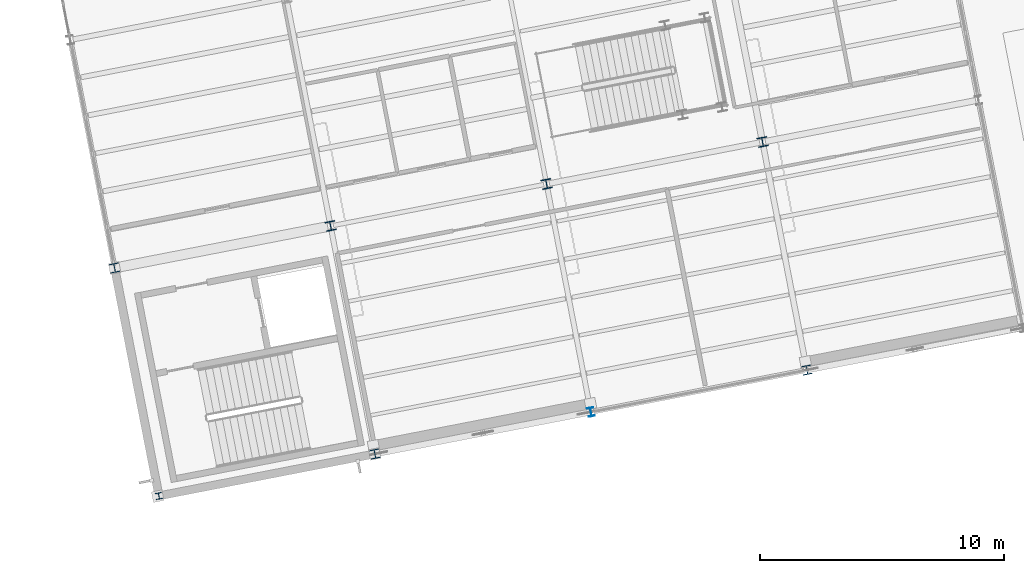
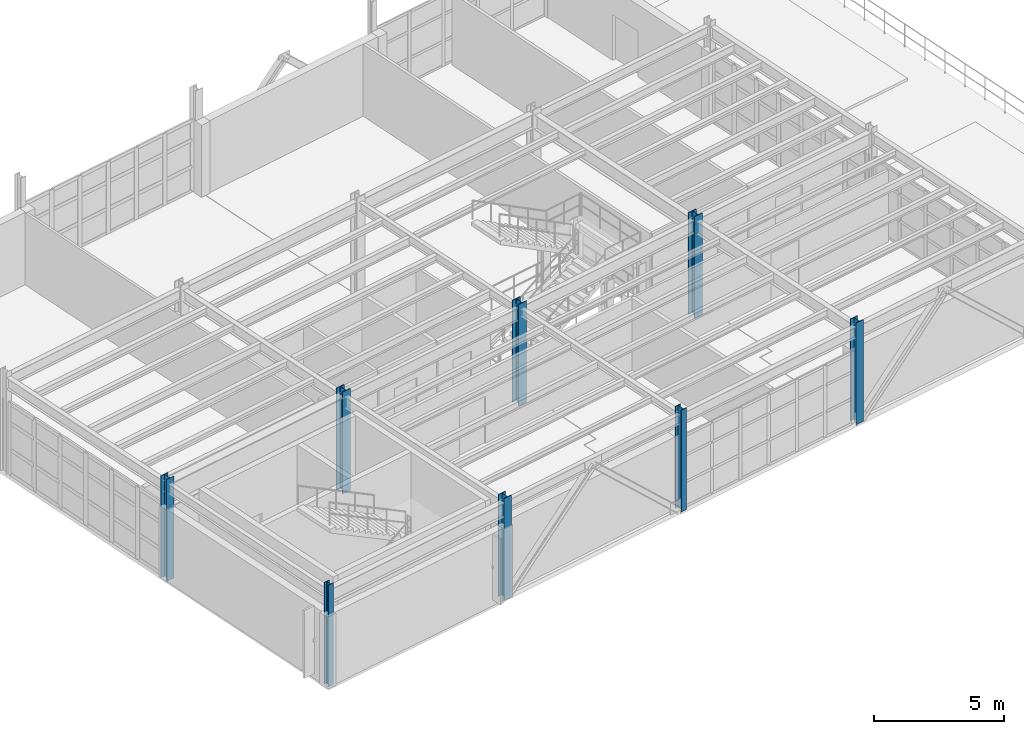
# One storey, part 1 of 109: 8 columns.
"""IFC4 building model written with IfcOpenShell, lengths in metres."""

import ifcopenshell
import ifcopenshell.guid

model = None  # the IFC model being written
_history = None  # IfcOwnerHistory: only IFC2X3 demands one
_inside = {}  # id of a spatial element -> (the spatial element, [elements in it])
_under = {}  # id of a project, library or spatial element -> (it, [spatial elements below it])
_declared = {}  # id of a project -> (the project, [libraries it declares])
_typed = {}  # id of a type object -> (the type object, [elements of that type])
_made_of = {}  # id of a material, layer set ... -> (it, [elements and type objects made of it])


def new_model(schema):
    """Start an empty IFC model of exactly this schema.

    Asked for "IFC4X3", IfcOpenShell would pick the latest addendum, in which some entities
    have other attributes; the version numbers below select the first issue.
    IFC2X3 requires an IfcOwnerHistory on every rooted entity: one is made here for all.
    """
    global model, _history
    if schema == "IFC4X3":
        model = ifcopenshell.file(schema_version=(4, 3, 0, 0))
    else:
        model = ifcopenshell.file(schema=schema)
    _inside.clear()
    _under.clear()
    _declared.clear()
    _typed.clear()
    _made_of.clear()
    _history = None
    if model.schema == "IFC2X3":
        org = make("IfcOrganization", Name="unknown")
        user = make(
            "IfcPersonAndOrganization",
            ThePerson=make("IfcPerson", FamilyName="unknown"),
            TheOrganization=org,
        )
        app = make(
            "IfcApplication",
            ApplicationDeveloper=org,
            Version="unknown",
            ApplicationFullName="unknown",
            ApplicationIdentifier="unknown",
        )
        _history = make(
            "IfcOwnerHistory",
            OwningUser=user,
            OwningApplication=app,
            ChangeAction="ADDED",
            CreationDate=0,
        )
    return model


def make(cls, **values):
    """One entity of the class cls with the attributes given. An attribute that is None is left unset."""
    return model.create_entity(
        cls, **{name: value for name, value in values.items() if value is not None}
    )


def rooted(cls, **values):
    """An entity with a GlobalId (a new one), such as an element, a storey or a relation."""
    return make(cls, GlobalId=ifcopenshell.guid.new(), OwnerHistory=_history, **values)


def si_unit(unit_type, name, prefix=None):
    """IfcSIUnit, for example si_unit("LENGTHUNIT", "METRE", prefix="MILLI")."""
    return make("IfcSIUnit", UnitType=unit_type, Prefix=prefix, Name=name)


def assignment(units):
    """IfcUnitAssignment: the units of a project."""
    return None if units is None else make("IfcUnitAssignment", Units=units)


def point(xyz):
    """IfcCartesianPoint."""
    return None if xyz is None else make("IfcCartesianPoint", Coordinates=xyz)


def direction(xyz):
    """IfcDirection."""
    return None if xyz is None else make("IfcDirection", DirectionRatios=xyz)


def frame(location, z_axis=None, x_axis=None):
    """IfcAxis2Placement3D, a coordinate frame: its origin and axes. An axis left out is left unset."""
    return make(
        "IfcAxis2Placement3D",
        Location=point(location),
        Axis=direction(z_axis),
        RefDirection=direction(x_axis),
    )


def frame_2d(location, x_axis=None):
    """IfcAxis2Placement2D, a coordinate frame in the plane: its origin and x axis."""
    return make(
        "IfcAxis2Placement2D", Location=point(location), RefDirection=direction(x_axis)
    )


def origin():
    """The frame at (0, 0, 0) with its axes left unset."""
    return frame((0.0, 0.0, 0.0))


def origin_2d():
    """The frame at (0, 0) in the plane with its x axis left unset."""
    return frame_2d((0.0, 0.0))


def place(relative_to, where):
    """IfcLocalPlacement: puts the frame where relative to a parent placement (None: the world)."""
    return make(
        "IfcLocalPlacement", PlacementRelTo=relative_to, RelativePlacement=where
    )


def context(
    kind, dimensions, precision=None, world=None, true_north=None, identifier=None
):
    """IfcGeometricRepresentationContext, for example the 3D "Model" context."""
    return make(
        "IfcGeometricRepresentationContext",
        ContextIdentifier=identifier,
        ContextType=kind,
        CoordinateSpaceDimension=dimensions,
        Precision=precision,
        WorldCoordinateSystem=world,
        TrueNorth=true_north,
    )


def subcontext(parent, identifier, kind, view, scale=None):
    """IfcGeometricRepresentationSubContext, for example "Body" below "Model"."""
    return make(
        "IfcGeometricRepresentationSubContext",
        ContextIdentifier=identifier,
        ContextType=kind,
        ParentContext=parent,
        TargetScale=scale,
        TargetView=view,
    )


def project(units=None, contexts=None):
    """IfcProject with its units and contexts."""
    return rooted(
        "IfcProject",
        Name="project",
        RepresentationContexts=contexts,
        UnitsInContext=assignment(units),
    )


def spatial(cls, under=None, at=None, **own):
    """A site, building, storey or space (cls), placed at a placement, below another one or the project."""
    s = rooted(cls, ObjectPlacement=at, **own)
    if under is not None:
        _under.setdefault(under.id(), (under, []))[1].append(s)
    return s


def profile(cls, at=None, kind="AREA", **sizes):
    """A parametric profile (cls). Its sizes go by their IFC names, for example OverallWidth=200.0."""
    return make(cls, ProfileType=kind, Position=at, **sizes)


def i_section(**sizes):
    """IfcIShapeProfileDef."""
    return profile("IfcIShapeProfileDef", **sizes)


def extrude(swept, where, along, depth):
    """IfcExtrudedAreaSolid: the profile swept, set in the frame where, extruded along a direction by depth."""
    return make(
        "IfcExtrudedAreaSolid",
        SweptArea=swept,
        Position=where,
        ExtrudedDirection=direction(along),
        Depth=depth,
    )


def shape(context_of_items, identifier, shape_type, items):
    """IfcShapeRepresentation: the items that make up one representation, for example the "Body"."""
    return make(
        "IfcShapeRepresentation",
        ContextOfItems=context_of_items,
        RepresentationIdentifier=identifier,
        RepresentationType=shape_type,
        Items=items,
    )


def material(Name=None, Category=None):
    """IfcMaterial."""
    return make("IfcMaterial", Name=Name, Category=Category)


def material_profile(
    of_material, cross_section, Name=None, Category=None, Priority=None
):
    """IfcMaterialProfile: a cross section and its material."""
    return make(
        "IfcMaterialProfile",
        Name=Name,
        Material=of_material,
        Profile=cross_section,
        Priority=Priority,
        Category=Category,
    )


def profile_set(profiles, Name=None, composite=None):
    """IfcMaterialProfileSet."""
    return make(
        "IfcMaterialProfileSet",
        Name=Name,
        MaterialProfiles=profiles,
        CompositeProfile=composite,
    )


def made_of(thing, what):
    """Note that an element or type object is made of a material, layer set ...; save() writes the relation."""
    if what is not None:
        _made_of.setdefault(what.id(), (what, []))[1].append(thing)
    return thing


def type_object(cls, material=None, **own):
    """A type object (cls), such as IfcWallType, which elements share."""
    return made_of(rooted(cls, **own), material)


def element(
    cls,
    number,
    at=None,
    inside=None,
    cuts=None,
    type_object=None,
    material=None,
    context=None,
    identifier="Body",
    shape_type=None,
    held_by="IfcProductDefinitionShape",
    body=None,
    shapes=None,
    **own,
):
    """One element of the class cls, such as IfcWall. Its Tag is "e" and its number.

    at: its placement. inside: the storey or other place that contains it. cuts: it is an
    opening in that element (IfcRelVoidsElement). A single representation is given by context,
    identifier, shape_type and body (its items); several are given by shapes. held_by: the class
    of the entity that holds the representations. save() writes the other relations.
    """
    e = rooted(cls, Tag="e%d" % number, ObjectPlacement=at, **own)
    if body is not None:
        shapes = [shape(context, identifier, shape_type, body)]
    if shapes is not None:
        e.Representation = make(held_by, Representations=shapes)
    if inside is not None:
        _inside.setdefault(inside.id(), (inside, []))[1].append(e)
    if cuts is not None:
        rooted(
            "IfcRelVoidsElement", RelatingBuildingElement=cuts, RelatedOpeningElement=e
        )
    if type_object is not None:
        _typed.setdefault(type_object.id(), (type_object, []))[1].append(e)
    return made_of(e, material)


def aggregate(whole, parts):
    """IfcRelAggregates: a whole, such as a stair, and the parts it consists of."""
    return rooted("IfcRelAggregates", RelatingObject=whole, RelatedObjects=parts)


def save(model, path):
    """Write the relations noted so far, then the file.

    IfcRelAggregates (storeys below a building ...), IfcRelContainedInSpatialStructure (elements
    in a storey), IfcRelDefinesByType, IfcRelAssociatesMaterial and IfcRelDeclares: one each for
    every whole, place, type object, material and project.
    """
    for whole, parts in _under.values():
        aggregate(whole, parts)
    for where, things in _inside.values():
        rooted(
            "IfcRelContainedInSpatialStructure",
            RelatedElements=things,
            RelatingStructure=where,
        )
    for kind, things in _typed.values():
        rooted("IfcRelDefinesByType", RelatedObjects=things, RelatingType=kind)
    for what, things in _made_of.values():
        rooted("IfcRelAssociatesMaterial", RelatedObjects=things, RelatingMaterial=what)
    for by, libraries in _declared.values():
        rooted("IfcRelDeclares", RelatingContext=by, RelatedDefinitions=libraries)
    model.write(path)


model = new_model("IFC4")

# Units and contexts
model_context = context("Model", 3, precision=1e-05, world=origin(), true_north=direction((0.0, 1.0)))
body_context = subcontext(model_context, "Body", "Model", "MODEL_VIEW")
ifc_project = project(units=[si_unit("LENGTHUNIT", "METRE"), si_unit("AREAUNIT", "SQUARE_METRE"), si_unit("VOLUMEUNIT", "CUBIC_METRE"), si_unit("PLANEANGLEUNIT", "RADIAN"), si_unit("MASSUNIT", "GRAM", prefix="KILO")], contexts=[model_context])

# Site, building, storey
site_placement = place(None, origin())
site = spatial("IfcSite", under=ifc_project, at=site_placement, CompositionType="ELEMENT")
building_placement = place(site_placement, origin())
building = spatial("IfcBuilding", under=site, at=building_placement, Name="Vireo Bluff Cable Station", CompositionType="ELEMENT")
storey_placement = place(building_placement, frame((0.0, 0.0, 4.800048828125)))
storey = spatial("IfcBuildingStorey", under=building, at=storey_placement, Name="L01", CompositionType="ELEMENT", Elevation=4.800048828125)

# Columns
ifc_material = material(Name="Steel ASTM A992 Gr. 50", Category="steel")
ifc_material_profile_1 = material_profile(ifc_material, i_section(OverallWidth=0.39892578125, OverallDepth=0.385986328125, WebThickness=0.02099609375, FlangeThickness=0.033203125, FilletRadius=0.014892578125, at=origin_2d()), Name="W14X176")
ifc_profile_set_1 = profile_set([ifc_material_profile_1], Name="Steel ASTM A992 Gr. 50")
column_type_1 = type_object("IfcColumnType", Name="COL-W14X176", PredefinedType="COLUMN", material=ifc_profile_set_1)
for number, where, z_axis, x_axis, name in (
    (1, (16.52197265625, 16.542724609375, 0.0), (0.0, 0.0, 1.0), (0.981627183448, 0.190808995377, 0.0), "V5 L01 column 345"),
    (2, (34.191162109375, 19.977294921875, 0.0), (0.0, 0.0, 1.0), (0.981627183448, 0.190808995377, 0.0), "V5 L01 column 367"),
):
    element("IfcColumn", number, at=place(storey_placement, frame(where, z_axis=z_axis, x_axis=x_axis)), inside=storey, type_object=column_type_1, Name=name, PredefinedType="COLUMN", context=body_context, shape_type="SweptSolid", body=[
        extrude(i_section(OverallWidth=0.39892578125, OverallDepth=0.385986328125, WebThickness=0.02099609375, FlangeThickness=0.033203125, FilletRadius=0.014892578125, at=origin_2d()), origin(), (0.0, 0.0, 1.0), 4.800048828125),
    ])
ifc_material_profile_2 = material_profile(ifc_material, i_section(OverallWidth=0.40087890625, OverallDepth=0.39404296875, WebThickness=0.022705078125, FlangeThickness=0.03662109375, FilletRadius=0.014892578125, at=origin_2d()), Name="W14X193")
ifc_profile_set_2 = profile_set([ifc_material_profile_2], Name="Steel ASTM A992 Gr. 50")
column_type_2 = type_object("IfcColumnType", Name="COL-W14X193", PredefinedType="COLUMN", material=ifc_profile_set_2)
column_1_placement = place(storey_placement, frame((25.356689453125, 18.260009765625, 0.0), z_axis=(0.0, 0.0, 1.0), x_axis=(0.981627183448, 0.190808995377, 0.0)))
element("IfcColumn", 3, at=column_1_placement, inside=storey, type_object=column_type_2, Name="V5 L01 column 356", PredefinedType="COLUMN", context=body_context, shape_type="SweptSolid", body=[
    extrude(i_section(OverallWidth=0.40087890625, OverallDepth=0.39404296875, WebThickness=0.022705078125, FlangeThickness=0.03662109375, FilletRadius=0.014892578125, at=origin_2d()), origin(), (0.0, 0.0, 1.0), 4.800048828125),
])
ifc_material_profile_3 = material_profile(ifc_material, i_section(OverallWidth=0.257080078125, OverallDepth=0.363037109375, WebThickness=0.012939453125, FlangeThickness=0.021728515625, FilletRadius=0.014892578125, at=origin_2d()), Name="W14X82")
ifc_profile_set_3 = profile_set([ifc_material_profile_3], Name="Steel ASTM A992 Gr. 50")
column_type_3 = type_object("IfcColumnType", Name="ECOL-W14X82", PredefinedType="COLUMN", material=ifc_profile_set_3)
column_2_placement = place(storey_placement, frame((27.169189453125, 8.9345703125, 0.0), z_axis=(0.0, 0.0, 1.0), x_axis=(0.981627183448, 0.190808995377, 0.0)))
element("IfcColumn", 4, at=column_2_placement, inside=storey, type_object=column_type_3, Name="V5 L01 column 353", PredefinedType="COLUMN", context=body_context, shape_type="SweptSolid", body=[
    extrude(i_section(OverallWidth=0.257080078125, OverallDepth=0.363037109375, WebThickness=0.012939453125, FlangeThickness=0.021728515625, FilletRadius=0.014892578125, at=origin_2d()), origin(), (0.0, 0.0, 1.0), 4.800048828125),
])
ifc_material_profile_4 = material_profile(ifc_material, i_section(OverallWidth=0.3701171875, OverallDepth=0.360107421875, WebThickness=0.01220703125, FlangeThickness=0.019775390625, FilletRadius=0.014892578125, at=origin_2d()), Name="W14X99")
ifc_profile_set_4 = profile_set([ifc_material_profile_4], Name="Steel ASTM A992 Gr. 50")
column_type_4 = type_object("IfcColumnType", Name="ECOL-W14X99", PredefinedType="COLUMN", material=ifc_profile_set_4)
for number, where, z_axis, x_axis, name in (
    (5, (7.687255859375, 14.825439453125, 0.0), (0.0, 0.0, 1.0), (0.981627183448, 0.190808995377, 0.0), "V5 L01 column 334"),
    (6, (18.334716796875, 7.21728515625, 0.0), (0.0, 0.0, 1.0), (0.981627183448, 0.190808995377, 0.0), "V5 L01 column 342"),
    (7, (36.00390625, 10.65185546875, 0.0), (0.0, 0.0, 1.0), (0.981627183448, 0.190808995377, 0.0), "V5 L01 column 364"),
):
    element("IfcColumn", number, at=place(storey_placement, frame(where, z_axis=z_axis, x_axis=x_axis)), inside=storey, type_object=column_type_4, Name=name, PredefinedType="COLUMN", context=body_context, shape_type="SweptSolid", body=[
        extrude(i_section(OverallWidth=0.3701171875, OverallDepth=0.360107421875, WebThickness=0.01220703125, FlangeThickness=0.019775390625, FilletRadius=0.014892578125, at=origin_2d()), origin(), (0.0, 0.0, 1.0), 4.800048828125),
    ])
ifc_material_profile_5 = material_profile(ifc_material, i_section(OverallWidth=0.2548828125, OverallDepth=0.256103515625, WebThickness=0.009521484375, FlangeThickness=0.015625, FilletRadius=0.009033203125, at=origin_2d()), Name="W10X54")
ifc_profile_set_5 = profile_set([ifc_material_profile_5], Name="Steel ASTM A992 Gr. 50")
column_type_5 = type_object("IfcColumnType", Name="PIL-W10X54", PredefinedType="PILASTER", material=ifc_profile_set_5)
column_3_placement = place(storey_placement, frame((9.5, 5.5, 0.0), z_axis=(0.0, 0.0, 1.0), x_axis=(0.981627183448, 0.190808995377, 0.0)))
element("IfcColumn", 8, at=column_3_placement, inside=storey, type_object=column_type_5, Name="V5 L01 column 331", PredefinedType="PILASTER", context=body_context, shape_type="SweptSolid", body=[
    extrude(i_section(OverallWidth=0.2548828125, OverallDepth=0.256103515625, WebThickness=0.009521484375, FlangeThickness=0.015625, FilletRadius=0.009033203125, at=origin_2d()), origin(), (0.0, 0.0, 1.0), 4.800048828125),
])

save(model, "model.ifc")
